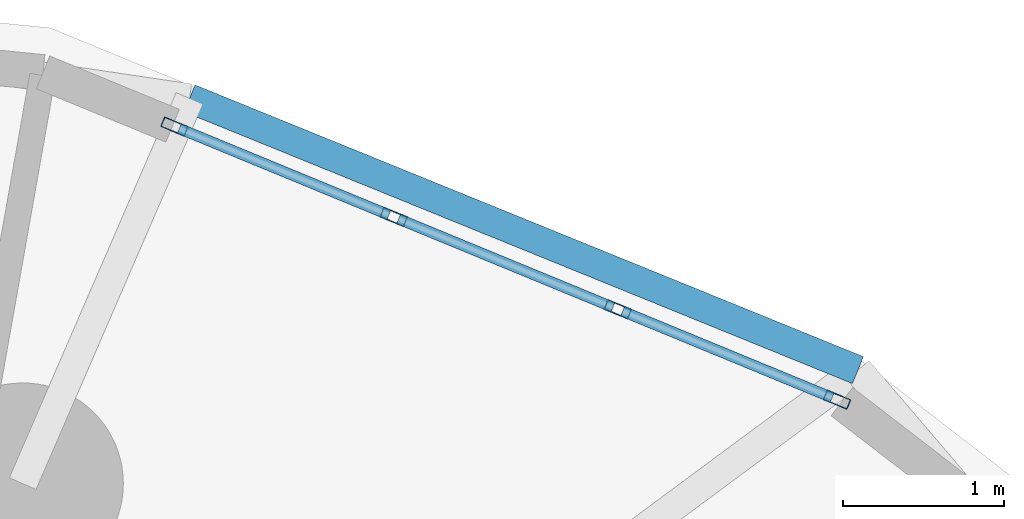
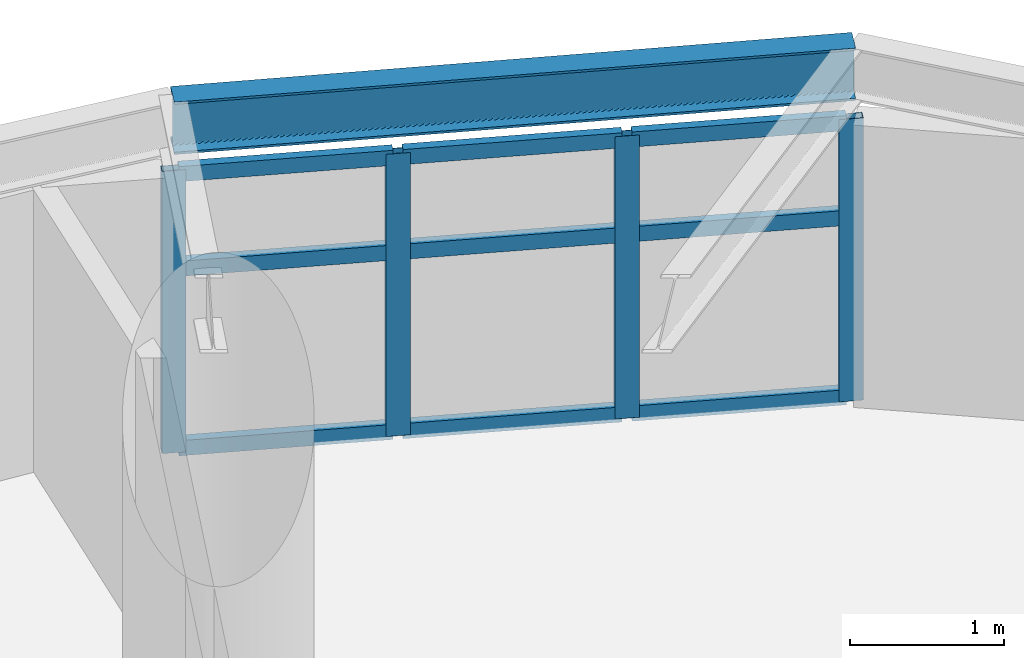
# One storey, part 6 of 17: 13 members, 1 beam, 1 element without a shape of its own.
"""IFC4 building model written with IfcOpenShell, lengths in metres."""

from ifc_helpers import new_model, si_unit, direction, frame, origin, origin_2d, place, context, subcontext, project, spatial, hollow_rectangle, i_section, extrude, material, layer, layer_set, material_profile, profile_set, type_object, element, aggregate, save


model = new_model("IFC4")

# Units and contexts
model_context = context("Model", 3, precision=1e-05, world=origin(), true_north=direction((0.0, 1.0)))
body_context = subcontext(model_context, "Body", "Model", "MODEL_VIEW")
ifc_project = project(units=[si_unit("LENGTHUNIT", "METRE"), si_unit("AREAUNIT", "SQUARE_METRE"), si_unit("VOLUMEUNIT", "CUBIC_METRE"), si_unit("PLANEANGLEUNIT", "RADIAN"), si_unit("MASSUNIT", "GRAM", prefix="KILO")], contexts=[model_context])

# Site, building, storey
site_placement = place(None, origin())
site = spatial("IfcSite", under=ifc_project, at=site_placement, CompositionType="ELEMENT")
building_placement = place(site_placement, origin())
building = spatial("IfcBuilding", under=site, at=building_placement, Name="Cununo Teusaquillo Station Towers", CompositionType="ELEMENT")
storey_placement = place(building_placement, frame((0.0, 0.0, 154.510009765625)))
storey = spatial("IfcBuildingStorey", under=building, at=storey_placement, Name="L48", CompositionType="ELEMENT", Elevation=154.510009765625)

# Beam
ifc_material_1 = material(Name="Steel ASTM A572 Grade 50", Category="steel")
ifc_material_profile_1 = material_profile(ifc_material_1, i_section(OverallWidth=0.180908203125, OverallDepth=0.4169921875, WebThickness=0.010986328125, FlangeThickness=0.018310546875, FilletRadius=0.012939453125, at=origin_2d()), Name="W16X57")
ifc_profile_set_1 = profile_set([ifc_material_profile_1], Name="Steel ASTM A572 Grade 50")
beam_type = type_object("IfcBeamType", Name="BM-RING-Z3", PredefinedType="SPANDREL", material=ifc_profile_set_1)
beam_placement = place(storey_placement, frame((63.478271484375, 38.340087890625, 2.4814453125), z_axis=(-0.926380466449, 0.376588942192, 0.0), x_axis=(-0.376588942192, -0.926380466449, 0.0)))
element("IfcBeam", 1, at=beam_placement, inside=storey, type_object=beam_type, Name="L48 Tower B Spandrel Ring Beam 02", PredefinedType="SPANDREL", context=body_context, shape_type="SweptSolid", body=[
    extrude(i_section(OverallWidth=0.180908203125, OverallDepth=0.4169921875, WebThickness=0.010986328125, FlangeThickness=0.018310546875, FilletRadius=0.012939453125, at=origin_2d()), origin(), (0.0, 0.0, 1.0), 4.48095703125),
])

# Curtain wall, members
ifc_material_2 = material(Name="Operable acoustic tinted low-E double glazing", Category="glass")
ifc_layer = layer(ifc_material_2, 0.179931640625)
ifc_layer_set = layer_set([ifc_layer], Name="Operable acoustic tinted low-E double glazing")
curtain_wall_type = type_object("IfcCurtainWallType", Name="CW-SYS-06", PredefinedType="USERDEFINED", material=ifc_layer_set)
curtain_wall_placement = place(storey_placement, origin())
curtain_wall = element("IfcCurtainWall", 2, at=curtain_wall_placement, inside=storey, type_object=curtain_wall_type, Name="L48 Tower B Facade Curtain Wall C01", ObjectType="OPERABLE GLAZING", PredefinedType="USERDEFINED")
ifc_material_3 = material(Name="Anodised dark bronze aluminium EN AW-6063-T6", Category="aluminium")
ifc_material_profile_2 = material_profile(ifc_material_3, hollow_rectangle(XDim=0.06494140625, YDim=0.159912109375, WallThickness=0.00390625, at=origin_2d()), Name="CW-MULL-65x160")
ifc_profile_set_2 = profile_set([ifc_material_profile_2], Name="Anodised dark bronze aluminium EN AW-6063-T6")
member_type_1 = type_object("IfcMemberType", Name="CWM-160", PredefinedType="MULLION", material=ifc_profile_set_2)
member_1_placement = place(storey_placement, frame((59.233642578125, 39.852783203125, 0.0), z_axis=(0.0, 0.0, 1.0), x_axis=(0.381121790423, 0.924524840588, 0.0)))
member_1 = element("IfcMember", 3, at=member_1_placement, type_object=member_type_1, Name="CW-06 mullion 1", PredefinedType="MULLION", context=body_context, shape_type="SweptSolid", body=[
    extrude(hollow_rectangle(XDim=0.06494140625, YDim=0.159912109375, WallThickness=0.00390625, at=origin_2d()), origin(), (0.0, 0.0, 1.0), 2.244873046875),
])
member_2_placement = place(storey_placement, frame((60.59521484375, 39.29150390625, 0.0), z_axis=(0.0, 0.0, 1.0), x_axis=(0.381121790423, 0.924524840588, 0.0)))
member_2 = element("IfcMember", 4, at=member_2_placement, type_object=member_type_1, Name="CW-06 mullion 2", PredefinedType="MULLION", context=body_context, shape_type="SweptSolid", body=[
    extrude(hollow_rectangle(XDim=0.06494140625, YDim=0.159912109375, WallThickness=0.00390625, at=origin_2d()), origin(), (0.0, 0.0, 1.0), 2.244873046875),
])
member_3_placement = place(storey_placement, frame((61.98681640625, 38.7177734375, 0.0), z_axis=(0.0, 0.0, 1.0), x_axis=(0.381121790423, 0.924524840588, 0.0)))
member_3 = element("IfcMember", 5, at=member_3_placement, type_object=member_type_1, Name="CW-06 mullion 3", PredefinedType="MULLION", context=body_context, shape_type="SweptSolid", body=[
    extrude(hollow_rectangle(XDim=0.06494140625, YDim=0.159912109375, WallThickness=0.00390625, at=origin_2d()), origin(), (0.0, 0.0, 1.0), 2.244873046875),
])
member_4_placement = place(storey_placement, frame((63.348388671875, 38.156494140625, 0.0), z_axis=(0.0, 0.0, 1.0), x_axis=(0.381121790423, 0.924524840588, 0.0)))
member_4 = element("IfcMember", 6, at=member_4_placement, type_object=member_type_1, Name="CW-06 mullion 4", PredefinedType="MULLION", context=body_context, shape_type="SweptSolid", body=[
    extrude(hollow_rectangle(XDim=0.06494140625, YDim=0.159912109375, WallThickness=0.00390625, at=origin_2d()), origin(), (0.0, 0.0, 1.0), 2.244873046875),
])
ifc_material_4 = material(Name="Anodised dark bronze aluminium EN AW-6063-T6", Category="aluminium")
ifc_material_profile_3 = material_profile(ifc_material_4, hollow_rectangle(XDim=0.06494140625, YDim=0.1201171875, WallThickness=0.00390625, at=origin_2d()), Name="CW-TRAN-65x120")
ifc_profile_set_3 = profile_set([ifc_material_profile_3], Name="Anodised dark bronze aluminium EN AW-6063-T6")
member_type_2 = type_object("IfcMemberType", Name="CWT-120", PredefinedType="USERDEFINED", material=ifc_profile_set_3)
member_5_placement = place(storey_placement, frame((59.263916015625, 39.84033203125, 0.032470703125), z_axis=(0.924537934154, -0.381090026517, 0.0), x_axis=(0.381090026517, 0.924537934154, 0.0)))
member_5 = element("IfcMember", 7, at=member_5_placement, type_object=member_type_2, Name="CW-06 transom 1.1", ObjectType="TRANSOM", PredefinedType="USERDEFINED", context=body_context, shape_type="SweptSolid", body=[
    extrude(hollow_rectangle(XDim=0.06494140625, YDim=0.1201171875, WallThickness=0.00390625, at=origin_2d()), origin(), (0.0, 0.0, 1.0), 1.407470703125),
])
member_6_placement = place(storey_placement, frame((59.263916015625, 39.84033203125, 1.458984375), z_axis=(0.924537934154, -0.381090026517, 0.0), x_axis=(0.381090026517, 0.924537934154, 0.0)))
member_6 = element("IfcMember", 8, at=member_6_placement, type_object=member_type_2, Name="CW-06 transom 1.2", ObjectType="TRANSOM", PredefinedType="USERDEFINED", context=body_context, shape_type="SweptSolid", body=[
    extrude(hollow_rectangle(XDim=0.06494140625, YDim=0.1201171875, WallThickness=0.00390625, at=origin_2d()), origin(), (0.0, 0.0, 1.0), 1.407470703125),
])
member_7_placement = place(storey_placement, frame((59.263916015625, 39.84033203125, 2.21240234375), z_axis=(0.924537934154, -0.381090026517, 0.0), x_axis=(0.381090026517, 0.924537934154, 0.0)))
member_7 = element("IfcMember", 9, at=member_7_placement, type_object=member_type_2, Name="CW-06 transom 1.3", ObjectType="TRANSOM", PredefinedType="USERDEFINED", context=body_context, shape_type="SweptSolid", body=[
    extrude(hollow_rectangle(XDim=0.06494140625, YDim=0.1201171875, WallThickness=0.00390625, at=origin_2d()), origin(), (0.0, 0.0, 1.0), 1.407470703125),
])
member_8_placement = place(storey_placement, frame((60.625244140625, 39.279052734375, 0.032470703125), z_axis=(0.924544635002, -0.381073769616, 0.0), x_axis=(0.381073769616, 0.924544635002, 0.0)))
member_8 = element("IfcMember", 10, at=member_8_placement, type_object=member_type_2, Name="CW-06 transom 2.1", ObjectType="TRANSOM", PredefinedType="USERDEFINED", context=body_context, shape_type="SweptSolid", body=[
    extrude(hollow_rectangle(XDim=0.06494140625, YDim=0.1201171875, WallThickness=0.00390625, at=origin_2d()), origin(), (0.0, 0.0, 1.0), 1.440185546875),
])
member_9_placement = place(storey_placement, frame((60.625244140625, 39.279052734375, 1.458984375), z_axis=(0.924544635002, -0.381073769616, 0.0), x_axis=(0.381073769616, 0.924544635002, 0.0)))
member_9 = element("IfcMember", 11, at=member_9_placement, type_object=member_type_2, Name="CW-06 transom 2.2", ObjectType="TRANSOM", PredefinedType="USERDEFINED", context=body_context, shape_type="SweptSolid", body=[
    extrude(hollow_rectangle(XDim=0.06494140625, YDim=0.1201171875, WallThickness=0.00390625, at=origin_2d()), origin(), (0.0, 0.0, 1.0), 1.440185546875),
])
member_10_placement = place(storey_placement, frame((60.625244140625, 39.279052734375, 2.21240234375), z_axis=(0.924544635002, -0.381073769616, 0.0), x_axis=(0.381073769616, 0.924544635002, 0.0)))
member_10 = element("IfcMember", 12, at=member_10_placement, type_object=member_type_2, Name="CW-06 transom 2.3", ObjectType="TRANSOM", PredefinedType="USERDEFINED", context=body_context, shape_type="SweptSolid", body=[
    extrude(hollow_rectangle(XDim=0.06494140625, YDim=0.1201171875, WallThickness=0.00390625, at=origin_2d()), origin(), (0.0, 0.0, 1.0), 1.440185546875),
])
member_11_placement = place(storey_placement, frame((62.016845703125, 38.70556640625, 0.032470703125), z_axis=(0.924502014319, -0.381177157658, 0.0), x_axis=(0.381177157658, 0.924502014319, 0.0)))
member_11 = element("IfcMember", 13, at=member_11_placement, type_object=member_type_2, Name="CW-06 transom 3.1", ObjectType="TRANSOM", PredefinedType="USERDEFINED", context=body_context, shape_type="SweptSolid", body=[
    extrude(hollow_rectangle(XDim=0.06494140625, YDim=0.1201171875, WallThickness=0.00390625, at=origin_2d()), origin(), (0.0, 0.0, 1.0), 1.40771484375),
])
member_12_placement = place(storey_placement, frame((62.016845703125, 38.70556640625, 1.458984375), z_axis=(0.924502014319, -0.381177157658, 0.0), x_axis=(0.381177157658, 0.924502014319, 0.0)))
member_12 = element("IfcMember", 14, at=member_12_placement, type_object=member_type_2, Name="CW-06 transom 3.2", ObjectType="TRANSOM", PredefinedType="USERDEFINED", context=body_context, shape_type="SweptSolid", body=[
    extrude(hollow_rectangle(XDim=0.06494140625, YDim=0.1201171875, WallThickness=0.00390625, at=origin_2d()), origin(), (0.0, 0.0, 1.0), 1.40771484375),
])
member_13_placement = place(storey_placement, frame((62.016845703125, 38.70556640625, 2.21240234375), z_axis=(0.924502014319, -0.381177157658, 0.0), x_axis=(0.381177157658, 0.924502014319, 0.0)))
member_13 = element("IfcMember", 15, at=member_13_placement, type_object=member_type_2, Name="CW-06 transom 3.3", ObjectType="TRANSOM", PredefinedType="USERDEFINED", context=body_context, shape_type="SweptSolid", body=[
    extrude(hollow_rectangle(XDim=0.06494140625, YDim=0.1201171875, WallThickness=0.00390625, at=origin_2d()), origin(), (0.0, 0.0, 1.0), 1.40771484375),
])
aggregate(curtain_wall, [member_1, member_2, member_3, member_4, member_5, member_6, member_7, member_8, member_9, member_10, member_11, member_12, member_13])

save(model, "model.ifc")
